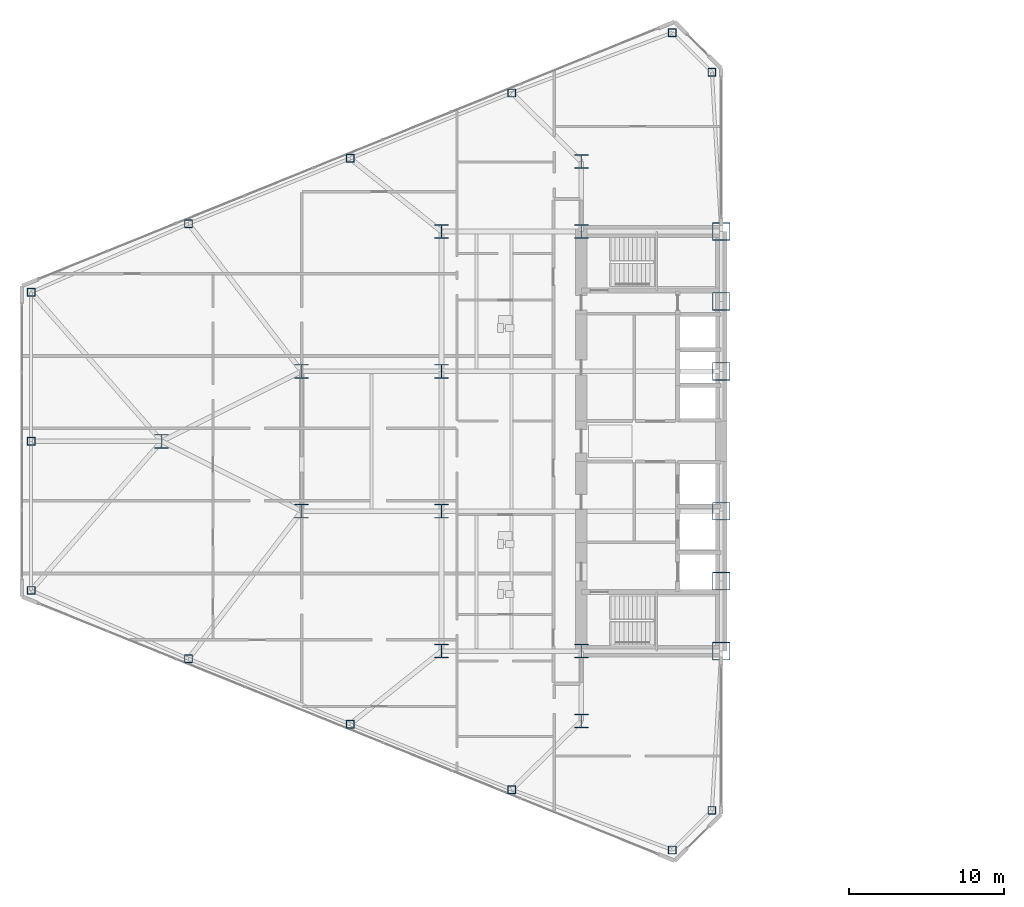
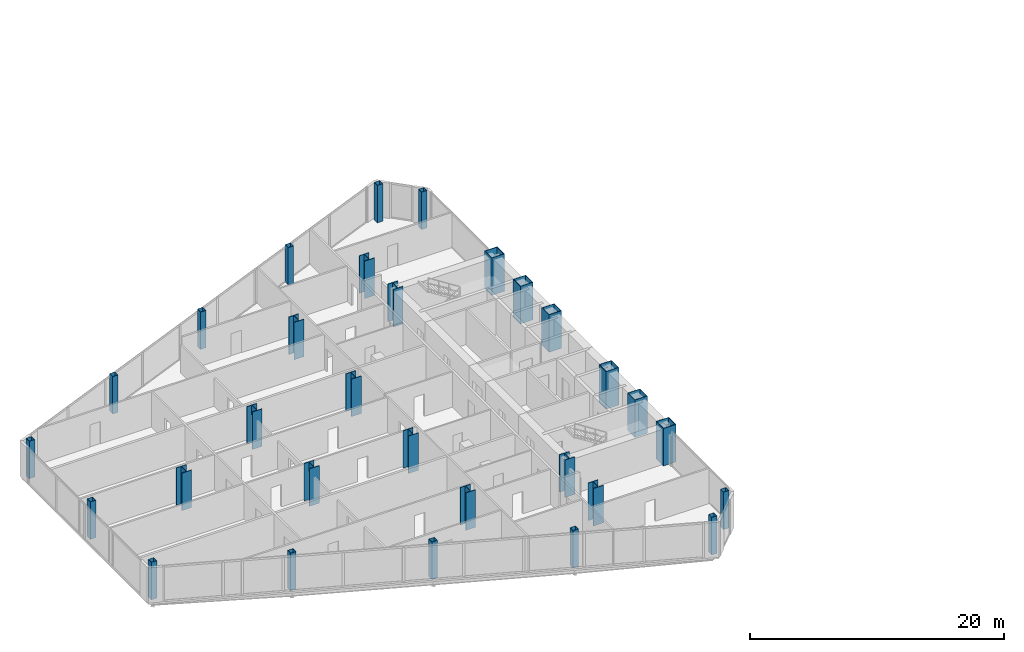
# One storey, part 1 of 25: 30 columns.
"""IFC4 building model written with IfcOpenShell, lengths in metres."""

from ifc_helpers import new_model, si_unit, direction, frame, origin, origin_2d, place, context, subcontext, project, spatial, hollow_rectangle, i_section, extrude, source, transform, mapped, material, material_profile, profile_set, type_object, type_shapes, element, save


model = new_model("IFC4")

# Units and contexts
model_context = context("Model", 3, precision=1e-05, world=origin(), true_north=direction((0.0, 1.0)))
body_context = subcontext(model_context, "Body", "Model", "MODEL_VIEW")
ifc_project = project(units=[si_unit("LENGTHUNIT", "METRE"), si_unit("AREAUNIT", "SQUARE_METRE"), si_unit("VOLUMEUNIT", "CUBIC_METRE"), si_unit("PLANEANGLEUNIT", "RADIAN"), si_unit("MASSUNIT", "GRAM", prefix="KILO")], contexts=[model_context])

# Site, building, storey
site_placement = place(None, origin())
site = spatial("IfcSite", under=ifc_project, at=site_placement, CompositionType="ELEMENT")
building_placement = place(site_placement, origin())
building = spatial("IfcBuilding", under=site, at=building_placement, Name="Seokmaru Belvedere", CompositionType="ELEMENT")
storey_placement = place(building_placement, frame((0.0, 0.0, 44.10009765625)))
storey = spatial("IfcBuildingStorey", under=building, at=storey_placement, Name="L11", CompositionType="ELEMENT", Elevation=44.10009765625)

# Columns
ifc_material_1 = material(Name="Steel HSA650 (650 MPa)", Category="steel")
ifc_material_profile_1 = material_profile(ifc_material_1, hollow_rectangle(XDim=1.14990234375, YDim=1.14990234375, WallThickness=0.048095703125, at=origin_2d()), Name="BOX-1150x1150x48")
ifc_profile_set_1 = profile_set([ifc_material_profile_1], Name="Steel HSA650 (650 MPa)")
column_type_1 = type_object("IfcColumnType", Name="Portal Spine Column BOX-1150", PredefinedType="COLUMN", material=ifc_profile_set_1)
shared_shape_1 = source(origin(), body_context, "Body", "SweptSolid", [
    extrude(hollow_rectangle(XDim=1.14990234375, YDim=1.14990234375, WallThickness=0.048095703125, at=origin_2d()), origin(), (0.0, 0.0, 1.0), 3.599853515625),
])
type_shapes(column_type_1, [shared_shape_1])
for number, where, z_axis, x_axis, name in (
    (1, (-27.5, -13.5, 0.0), (0.0, 0.0, 1.0), (1.0, 0.0, 0.0), "L11 Column WS1"),
    (2, (-27.5, -9.0, 0.0), (0.0, 0.0, 1.0), (1.0, 0.0, 0.0), "L11 Column WS2"),
    (3, (-27.5, -4.5, 0.0), (0.0, 0.0, 1.0), (1.0, 0.0, 0.0), "L11 Column WS3"),
    (4, (-27.5, 4.5, 0.0), (0.0, 0.0, 1.0), (1.0, 0.0, 0.0), "L11 Column WS4"),
    (5, (-27.5, 9.0, 0.0), (0.0, 0.0, 1.0), (1.0, 0.0, 0.0), "L11 Column WS5"),
    (6, (-27.5, 13.5, 0.0), (0.0, 0.0, 1.0), (1.0, 0.0, 0.0), "L11 Column WS6"),
):
    element("IfcColumn", number, at=place(storey_placement, frame(where, z_axis=z_axis, x_axis=x_axis)), inside=storey, type_object=column_type_1, Name=name, PredefinedType="COLUMN", context=body_context, shape_type="MappedRepresentation", body=[
        mapped(shared_shape_1, transform((0.0, 0.0, 0.0), scale=1.0)),
    ])
ifc_material_profile_2 = material_profile(ifc_material_1, i_section(OverallWidth=0.89990234375, OverallDepth=0.89990234375, WebThickness=0.035888671875, FlangeThickness=0.054931640625, at=origin_2d()), Name="H-900x900x36x55")
ifc_profile_set_2 = profile_set([ifc_material_profile_2], Name="Steel HSA650 (650 MPa)")
column_type_2 = type_object("IfcColumnType", Name="Lower Interior Column H-900", PredefinedType="COLUMN", material=ifc_profile_set_2)
shared_shape_2 = source(origin(), body_context, "Body", "SweptSolid", [
    extrude(i_section(OverallWidth=0.89990234375, OverallDepth=0.89990234375, WebThickness=0.035888671875, FlangeThickness=0.054931640625, at=origin_2d()), origin(), (0.0, 0.0, 1.0), 3.599853515625),
])
type_shapes(column_type_2, [shared_shape_2])
for number, where, z_axis, x_axis, name in (
    (7, (-36.5, -18.0, 0.0), (0.0, 0.0, 1.0), (1.0, 0.0, 0.0), "L11 Column WC1"),
    (8, (-36.5, -13.5, 0.0), (0.0, 0.0, 1.0), (1.0, 0.0, 0.0), "L11 Column WC2"),
    (9, (-36.5, 13.5, 0.0), (0.0, 0.0, 1.0), (1.0, 0.0, 0.0), "L11 Column WC3"),
    (10, (-36.5, 18.0, 0.0), (0.0, 0.0, 1.0), (1.0, 0.0, 0.0), "L11 Column WC4"),
    (11, (-45.5, -13.5, 0.0), (0.0, 0.0, 1.0), (1.0, 0.0, 0.0), "L11 Column WG5_1"),
    (12, (-45.5, -4.5, 0.0), (0.0, 0.0, 1.0), (1.0, 0.0, 0.0), "L11 Column WG5_2"),
    (13, (-45.5, 4.5, 0.0), (0.0, 0.0, 1.0), (1.0, 0.0, 0.0), "L11 Column WG5_3"),
    (14, (-45.5, 13.5, 0.0), (0.0, 0.0, 1.0), (1.0, 0.0, 0.0), "L11 Column WG5_4"),
    (15, (-54.5, -4.5, 0.0), (0.0, 0.0, 1.0), (1.0, 0.0, 0.0), "L11 Column WG4P_1"),
    (16, (-54.5, 4.5, 0.0), (0.0, 0.0, 1.0), (1.0, 0.0, 0.0), "L11 Column WG4P_2"),
    (17, (-63.5, 0.0, 0.0), (0.0, 0.0, 1.0), (1.0, 0.0, 0.0), "L11 Column WG3P_1"),
):
    element("IfcColumn", number, at=place(storey_placement, frame(where, z_axis=z_axis, x_axis=x_axis)), inside=storey, type_object=column_type_2, Name=name, PredefinedType="COLUMN", context=body_context, shape_type="MappedRepresentation", body=[
        mapped(shared_shape_2, transform((0.0, 0.0, 0.0), scale=1.0)),
    ])
ifc_material_2 = material(Name="Steel SM355 (355 MPa)", Category="steel")
ifc_material_profile_3 = material_profile(ifc_material_2, hollow_rectangle(XDim=0.5, YDim=0.5, WallThickness=0.02001953125, at=origin_2d()), Name="HSS-500x500x20")
ifc_profile_set_3 = profile_set([ifc_material_profile_3], Name="Steel SM355 (355 MPa)")
column_type_3 = type_object("IfcColumnType", Name="Perimeter Facet Column HSS-500", PredefinedType="COLUMN", material=ifc_profile_set_3)
shared_shape_3 = source(origin(), body_context, "Body", "SweptSolid", [
    extrude(hollow_rectangle(XDim=0.5, YDim=0.5, WallThickness=0.02001953125, at=origin_2d()), origin(), (0.0, 0.0, 1.0), 3.599853515625),
])
type_shapes(column_type_3, [shared_shape_3])
for number, where, z_axis, x_axis, name in (
    (18, (-28.10009765625, -23.75146484375, 0.0), (0.0, 0.0, 1.0), (1.0, 0.0, 0.0), "L11 Column WF1"),
    (19, (-28.10009765625, 23.75146484375, 0.0), (0.0, 0.0, 1.0), (1.0, 0.0, 0.0), "L11 Column WF2"),
    (20, (-30.643310546875, 26.294677734375, 0.0), (0.0, 0.0, 1.0), (1.0, 0.0, 0.0), "L11 Column WF3"),
    (21, (-71.89990234375, 9.595703125, 0.0), (0.0, 0.0, 1.0), (1.0, 0.0, 0.0), "L11 Column WF4"),
    (22, (-71.89990234375, -9.595703125, 0.0), (0.0, 0.0, 1.0), (1.0, 0.0, 0.0), "L11 Column WF5"),
    (23, (-30.643310546875, -26.294677734375, 0.0), (0.0, 0.0, 1.0), (1.0, 0.0, 0.0), "L11 Column WF6"),
    (24, (-40.977294921875, -22.4140625, 0.0), (0.0, 0.0, 1.0), (1.0, 0.0, 0.0), "L11 Column WFLK_S1"),
    (25, (-51.378173828125, -18.2041015625, 0.0), (0.0, 0.0, 1.0), (1.0, 0.0, 0.0), "L11 Column WFLK_S2"),
    (26, (-61.779052734375, -13.994140625, 0.0), (0.0, 0.0, 1.0), (1.0, 0.0, 0.0), "L11 Column WFLK_S3"),
    (27, (-40.977294921875, 22.4140625, 0.0), (0.0, 0.0, 1.0), (1.0, 0.0, 0.0), "L11 Column WFLK_N1"),
    (28, (-51.378173828125, 18.2041015625, 0.0), (0.0, 0.0, 1.0), (1.0, 0.0, 0.0), "L11 Column WFLK_N2"),
    (29, (-61.779052734375, 13.994140625, 0.0), (0.0, 0.0, 1.0), (1.0, 0.0, 0.0), "L11 Column WFLK_N3"),
    (30, (-71.89990234375, 0.0, 0.0), (0.0, 0.0, 1.0), (1.0, 0.0, 0.0), "L11 Column WF_APXM"),
):
    element("IfcColumn", number, at=place(storey_placement, frame(where, z_axis=z_axis, x_axis=x_axis)), inside=storey, type_object=column_type_3, Name=name, PredefinedType="COLUMN", context=body_context, shape_type="MappedRepresentation", body=[
        mapped(shared_shape_3, transform((0.0, 0.0, 0.0), scale=1.0)),
    ])

save(model, "model.ifc")
